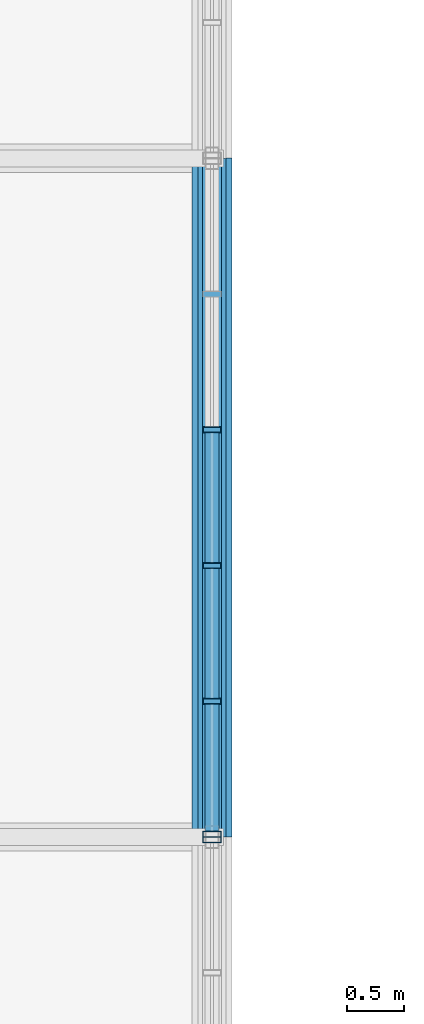
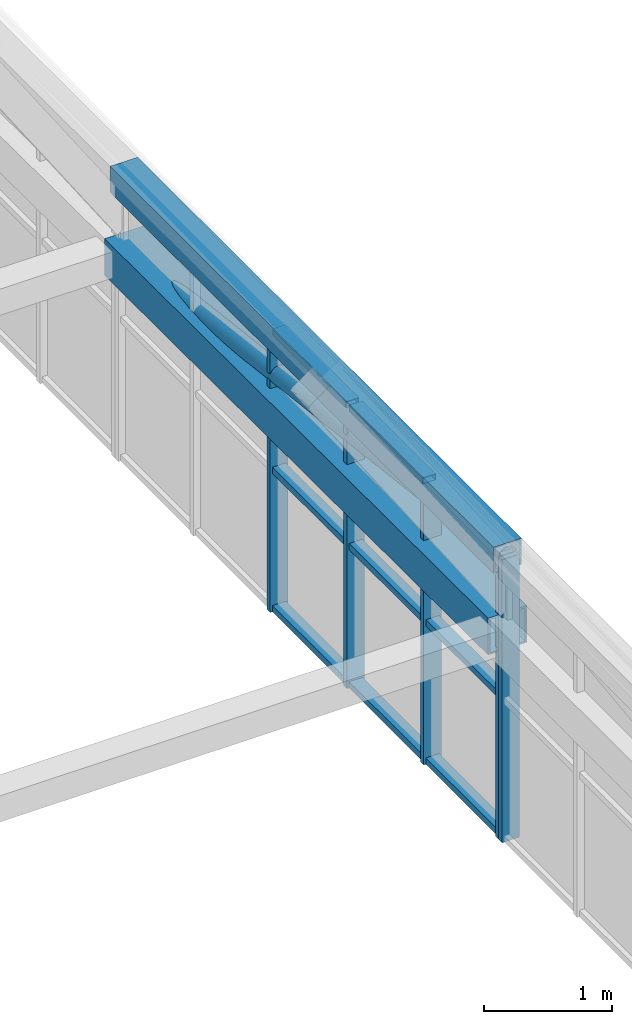
# One storey, part 230 of 324: 17 members, 2 elements without a shape of their own.
"""IFC4 building model written with IfcOpenShell, lengths in metres."""

import ifcopenshell
import ifcopenshell.guid

model = None  # the IFC model being written
_history = None  # IfcOwnerHistory: only IFC2X3 demands one
_inside = {}  # id of a spatial element -> (the spatial element, [elements in it])
_under = {}  # id of a project, library or spatial element -> (it, [spatial elements below it])
_declared = {}  # id of a project -> (the project, [libraries it declares])
_typed = {}  # id of a type object -> (the type object, [elements of that type])
_made_of = {}  # id of a material, layer set ... -> (it, [elements and type objects made of it])


def new_model(schema):
    """Start an empty IFC model of exactly this schema.

    Asked for "IFC4X3", IfcOpenShell would pick the latest addendum, in which some entities
    have other attributes; the version numbers below select the first issue.
    IFC2X3 requires an IfcOwnerHistory on every rooted entity: one is made here for all.
    """
    global model, _history
    if schema == "IFC4X3":
        model = ifcopenshell.file(schema_version=(4, 3, 0, 0))
    else:
        model = ifcopenshell.file(schema=schema)
    _inside.clear()
    _under.clear()
    _declared.clear()
    _typed.clear()
    _made_of.clear()
    _history = None
    if model.schema == "IFC2X3":
        org = make("IfcOrganization", Name="unknown")
        user = make(
            "IfcPersonAndOrganization",
            ThePerson=make("IfcPerson", FamilyName="unknown"),
            TheOrganization=org,
        )
        app = make(
            "IfcApplication",
            ApplicationDeveloper=org,
            Version="unknown",
            ApplicationFullName="unknown",
            ApplicationIdentifier="unknown",
        )
        _history = make(
            "IfcOwnerHistory",
            OwningUser=user,
            OwningApplication=app,
            ChangeAction="ADDED",
            CreationDate=0,
        )
    return model


def make(cls, **values):
    """One entity of the class cls with the attributes given. An attribute that is None is left unset."""
    return model.create_entity(
        cls, **{name: value for name, value in values.items() if value is not None}
    )


def rooted(cls, **values):
    """An entity with a GlobalId (a new one), such as an element, a storey or a relation."""
    return make(cls, GlobalId=ifcopenshell.guid.new(), OwnerHistory=_history, **values)


def si_unit(unit_type, name, prefix=None):
    """IfcSIUnit, for example si_unit("LENGTHUNIT", "METRE", prefix="MILLI")."""
    return make("IfcSIUnit", UnitType=unit_type, Prefix=prefix, Name=name)


def assignment(units):
    """IfcUnitAssignment: the units of a project."""
    return None if units is None else make("IfcUnitAssignment", Units=units)


def point(xyz):
    """IfcCartesianPoint."""
    return None if xyz is None else make("IfcCartesianPoint", Coordinates=xyz)


def direction(xyz):
    """IfcDirection."""
    return None if xyz is None else make("IfcDirection", DirectionRatios=xyz)


def frame(location, z_axis=None, x_axis=None):
    """IfcAxis2Placement3D, a coordinate frame: its origin and axes. An axis left out is left unset."""
    return make(
        "IfcAxis2Placement3D",
        Location=point(location),
        Axis=direction(z_axis),
        RefDirection=direction(x_axis),
    )


def frame_2d(location, x_axis=None):
    """IfcAxis2Placement2D, a coordinate frame in the plane: its origin and x axis."""
    return make(
        "IfcAxis2Placement2D", Location=point(location), RefDirection=direction(x_axis)
    )


def origin():
    """The frame at (0, 0, 0) with its axes left unset."""
    return frame((0.0, 0.0, 0.0))


def origin_2d():
    """The frame at (0, 0) in the plane with its x axis left unset."""
    return frame_2d((0.0, 0.0))


def place(relative_to, where):
    """IfcLocalPlacement: puts the frame where relative to a parent placement (None: the world)."""
    return make(
        "IfcLocalPlacement", PlacementRelTo=relative_to, RelativePlacement=where
    )


def context(
    kind, dimensions, precision=None, world=None, true_north=None, identifier=None
):
    """IfcGeometricRepresentationContext, for example the 3D "Model" context."""
    return make(
        "IfcGeometricRepresentationContext",
        ContextIdentifier=identifier,
        ContextType=kind,
        CoordinateSpaceDimension=dimensions,
        Precision=precision,
        WorldCoordinateSystem=world,
        TrueNorth=true_north,
    )


def subcontext(parent, identifier, kind, view, scale=None):
    """IfcGeometricRepresentationSubContext, for example "Body" below "Model"."""
    return make(
        "IfcGeometricRepresentationSubContext",
        ContextIdentifier=identifier,
        ContextType=kind,
        ParentContext=parent,
        TargetScale=scale,
        TargetView=view,
    )


def project(units=None, contexts=None):
    """IfcProject with its units and contexts."""
    return rooted(
        "IfcProject",
        Name="project",
        RepresentationContexts=contexts,
        UnitsInContext=assignment(units),
    )


def spatial(cls, under=None, at=None, **own):
    """A site, building, storey or space (cls), placed at a placement, below another one or the project."""
    s = rooted(cls, ObjectPlacement=at, **own)
    if under is not None:
        _under.setdefault(under.id(), (under, []))[1].append(s)
    return s


def profile(cls, at=None, kind="AREA", **sizes):
    """A parametric profile (cls). Its sizes go by their IFC names, for example OverallWidth=200.0."""
    return make(cls, ProfileType=kind, Position=at, **sizes)


def hollow_rectangle(**sizes):
    """IfcRectangleHollowProfileDef."""
    return profile("IfcRectangleHollowProfileDef", **sizes)


def hollow_circle(**sizes):
    """IfcCircleHollowProfileDef."""
    return profile("IfcCircleHollowProfileDef", **sizes)


def extrude(swept, where, along, depth):
    """IfcExtrudedAreaSolid: the profile swept, set in the frame where, extruded along a direction by depth."""
    return make(
        "IfcExtrudedAreaSolid",
        SweptArea=swept,
        Position=where,
        ExtrudedDirection=direction(along),
        Depth=depth,
    )


def shape(context_of_items, identifier, shape_type, items):
    """IfcShapeRepresentation: the items that make up one representation, for example the "Body"."""
    return make(
        "IfcShapeRepresentation",
        ContextOfItems=context_of_items,
        RepresentationIdentifier=identifier,
        RepresentationType=shape_type,
        Items=items,
    )


def material(Name=None, Category=None):
    """IfcMaterial."""
    return make("IfcMaterial", Name=Name, Category=Category)


def layer(
    of_material, thickness, ventilated=None, Name=None, Category=None, Priority=None
):
    """IfcMaterialLayer: one layer of a wall or slab, of a material (None: an air gap)."""
    return make(
        "IfcMaterialLayer",
        Material=of_material,
        LayerThickness=thickness,
        IsVentilated=ventilated,
        Name=Name,
        Category=Category,
        Priority=Priority,
    )


def layer_set(layers, Name=None):
    """IfcMaterialLayerSet."""
    return make("IfcMaterialLayerSet", MaterialLayers=layers, LayerSetName=Name)


def material_profile(
    of_material, cross_section, Name=None, Category=None, Priority=None
):
    """IfcMaterialProfile: a cross section and its material."""
    return make(
        "IfcMaterialProfile",
        Name=Name,
        Material=of_material,
        Profile=cross_section,
        Priority=Priority,
        Category=Category,
    )


def profile_set(profiles, Name=None, composite=None):
    """IfcMaterialProfileSet."""
    return make(
        "IfcMaterialProfileSet",
        Name=Name,
        MaterialProfiles=profiles,
        CompositeProfile=composite,
    )


def made_of(thing, what):
    """Note that an element or type object is made of a material, layer set ...; save() writes the relation."""
    if what is not None:
        _made_of.setdefault(what.id(), (what, []))[1].append(thing)
    return thing


def type_object(cls, material=None, **own):
    """A type object (cls), such as IfcWallType, which elements share."""
    return made_of(rooted(cls, **own), material)


def element(
    cls,
    number,
    at=None,
    inside=None,
    cuts=None,
    type_object=None,
    material=None,
    context=None,
    identifier="Body",
    shape_type=None,
    held_by="IfcProductDefinitionShape",
    body=None,
    shapes=None,
    **own,
):
    """One element of the class cls, such as IfcWall. Its Tag is "e" and its number.

    at: its placement. inside: the storey or other place that contains it. cuts: it is an
    opening in that element (IfcRelVoidsElement). A single representation is given by context,
    identifier, shape_type and body (its items); several are given by shapes. held_by: the class
    of the entity that holds the representations. save() writes the other relations.
    """
    e = rooted(cls, Tag="e%d" % number, ObjectPlacement=at, **own)
    if body is not None:
        shapes = [shape(context, identifier, shape_type, body)]
    if shapes is not None:
        e.Representation = make(held_by, Representations=shapes)
    if inside is not None:
        _inside.setdefault(inside.id(), (inside, []))[1].append(e)
    if cuts is not None:
        rooted(
            "IfcRelVoidsElement", RelatingBuildingElement=cuts, RelatedOpeningElement=e
        )
    if type_object is not None:
        _typed.setdefault(type_object.id(), (type_object, []))[1].append(e)
    return made_of(e, material)


def aggregate(whole, parts):
    """IfcRelAggregates: a whole, such as a stair, and the parts it consists of."""
    return rooted("IfcRelAggregates", RelatingObject=whole, RelatedObjects=parts)


def save(model, path):
    """Write the relations noted so far, then the file.

    IfcRelAggregates (storeys below a building ...), IfcRelContainedInSpatialStructure (elements
    in a storey), IfcRelDefinesByType, IfcRelAssociatesMaterial and IfcRelDeclares: one each for
    every whole, place, type object, material and project.
    """
    for whole, parts in _under.values():
        aggregate(whole, parts)
    for where, things in _inside.values():
        rooted(
            "IfcRelContainedInSpatialStructure",
            RelatedElements=things,
            RelatingStructure=where,
        )
    for kind, things in _typed.values():
        rooted("IfcRelDefinesByType", RelatedObjects=things, RelatingType=kind)
    for what, things in _made_of.values():
        rooted("IfcRelAssociatesMaterial", RelatedObjects=things, RelatingMaterial=what)
    for by, libraries in _declared.values():
        rooted("IfcRelDeclares", RelatingContext=by, RelatedDefinitions=libraries)
    model.write(path)


model = new_model("IFC4")

# Units and contexts
model_context = context("Model", 3, precision=1e-05, world=origin(), true_north=direction((0.0, 1.0)))
body_context = subcontext(model_context, "Body", "Model", "MODEL_VIEW")
ifc_project = project(units=[si_unit("LENGTHUNIT", "METRE"), si_unit("AREAUNIT", "SQUARE_METRE"), si_unit("VOLUMEUNIT", "CUBIC_METRE"), si_unit("PLANEANGLEUNIT", "RADIAN"), si_unit("MASSUNIT", "GRAM", prefix="KILO")], contexts=[model_context])

# Site, building, storey
site_placement = place(None, origin())
site = spatial("IfcSite", under=ifc_project, at=site_placement, CompositionType="ELEMENT")
building_placement = place(site_placement, origin())
building = spatial("IfcBuilding", under=site, at=building_placement, Name="Solvenia Promenade Tram Depot", CompositionType="ELEMENT")
storey_placement = place(building_placement, frame((0.0, 0.0, 4.5)))
storey = spatial("IfcBuildingStorey", under=building, at=storey_placement, Name="L01", CompositionType="ELEMENT", Elevation=4.5)

# Curtain wall, member
ifc_material_1 = material(Name="Anodized aluminium AW-6063 T6", Category="aluminium")
ifc_layer = layer(ifc_material_1, 0.159912109375, Name="Anodized aluminium AW-6063 T6", Category="aluminium")
ifc_layer_set = layer_set([ifc_layer], Name="Anodized aluminium AW-6063 T6")
curtain_wall_type = type_object("IfcCurtainWallType", Name="CW-Channel-1200", PredefinedType="NOTDEFINED", material=ifc_layer_set)
curtain_wall_1_placement = place(storey_placement, origin())
curtain_wall_1 = element("IfcCurtainWall", 1, at=curtain_wall_1_placement, inside=storey, type_object=curtain_wall_type, Name="Curtain Wall CW-V1E-05", PredefinedType="NOTDEFINED")
ifc_material_profile_1 = material_profile(ifc_material_1, hollow_rectangle(XDim=0.159912109375, YDim=0.052001953125, WallThickness=0.00390625, at=origin_2d()), Name="ALU-M1", Category="aluminium")
ifc_profile_set_1 = profile_set([ifc_material_profile_1], Name="Anodized aluminium AW-6063 T6")
member_type_1 = type_object("IfcMemberType", Name="CWM-Mullion-1", PredefinedType="MULLION", material=ifc_profile_set_1)
member_1_placement = place(storey_placement, frame((150.0, 95.97412109375, 0.699951171875), z_axis=(0.0, 0.0, 1.0), x_axis=(-1.0, 0.0, 0.0)))
member_1 = element("IfcMember", 2, at=member_1_placement, type_object=member_type_1, Name="CW-1 mullion 6", PredefinedType="MULLION", context=body_context, shape_type="SweptSolid", body=[
    extrude(hollow_rectangle(XDim=0.159912109375, YDim=0.052001953125, WallThickness=0.00390625, at=origin_2d()), origin(), (0.0, 0.0, 1.0), 2.699951171875),
])
aggregate(curtain_wall_1, [member_1])

# Curtain wall, members
curtain_wall_2_placement = place(storey_placement, origin())
curtain_wall_2 = element("IfcCurtainWall", 3, at=curtain_wall_2_placement, inside=storey, type_object=curtain_wall_type, Name="Curtain Wall CW-V1E-06", PredefinedType="NOTDEFINED")
member_2_placement = place(storey_placement, frame((150.0, 96.02587890625, 0.699951171875), z_axis=(0.0, 0.0, 1.0), x_axis=(-1.0, 0.0, 0.0)))
member_2 = element("IfcMember", 4, at=member_2_placement, type_object=member_type_1, Name="CW-1 mullion 1", PredefinedType="MULLION", context=body_context, shape_type="SweptSolid", body=[
    extrude(hollow_rectangle(XDim=0.159912109375, YDim=0.052001953125, WallThickness=0.00390625, at=origin_2d()), origin(), (0.0, 0.0, 1.0), 2.699951171875),
])
member_3_placement = place(storey_placement, frame((150.0, 97.199951171875, 0.699951171875), z_axis=(0.0, 0.0, 1.0), x_axis=(-1.0, 0.0, 0.0)))
member_3 = element("IfcMember", 5, at=member_3_placement, type_object=member_type_1, Name="CW-1 mullion 2", PredefinedType="MULLION", context=body_context, shape_type="SweptSolid", body=[
    extrude(hollow_rectangle(XDim=0.159912109375, YDim=0.052001953125, WallThickness=0.00390625, at=origin_2d()), origin(), (0.0, 0.0, 1.0), 2.699951171875),
])
member_4_placement = place(storey_placement, frame((150.0, 98.39990234375, 0.699951171875), z_axis=(0.0, 0.0, 1.0), x_axis=(-1.0, 0.0, 0.0)))
member_4 = element("IfcMember", 6, at=member_4_placement, type_object=member_type_1, Name="CW-1 mullion 3", PredefinedType="MULLION", context=body_context, shape_type="SweptSolid", body=[
    extrude(hollow_rectangle(XDim=0.159912109375, YDim=0.052001953125, WallThickness=0.00390625, at=origin_2d()), origin(), (0.0, 0.0, 1.0), 2.699951171875),
])
member_5_placement = place(storey_placement, frame((150.0, 99.60009765625, 0.699951171875), z_axis=(0.0, 0.0, 1.0), x_axis=(-1.0, 0.0, 0.0)))
member_5 = element("IfcMember", 7, at=member_5_placement, type_object=member_type_1, Name="CW-1 mullion 4", PredefinedType="MULLION", context=body_context, shape_type="SweptSolid", body=[
    extrude(hollow_rectangle(XDim=0.159912109375, YDim=0.052001953125, WallThickness=0.00390625, at=origin_2d()), origin(), (0.0, 0.0, 1.0), 2.699951171875),
])
ifc_material_profile_2 = material_profile(ifc_material_1, hollow_rectangle(XDim=0.1201171875, YDim=0.06005859375, WallThickness=0.00390625, at=origin_2d()), Name="ALU-T1", Category="aluminium")
ifc_profile_set_2 = profile_set([ifc_material_profile_2], Name="Anodized aluminium AW-6063 T6")
member_type_2 = type_object("IfcMemberType", Name="CWT-Transom-1", PredefinedType="USERDEFINED", material=ifc_profile_set_2)
member_6_placement = place(storey_placement, frame((150.0, 96.052001953125, 0.72998046875), z_axis=(0.0, 1.0, 0.0), x_axis=(-1.0, 0.0, 0.0)))
member_6 = element("IfcMember", 8, at=member_6_placement, type_object=member_type_2, Name="CW-1 transom 1.1", ObjectType="TRANSOM", PredefinedType="USERDEFINED", context=body_context, shape_type="SweptSolid", body=[
    extrude(hollow_rectangle(XDim=0.1201171875, YDim=0.06005859375, WallThickness=0.00390625, at=origin_2d()), origin(), (0.0, 0.0, 1.0), 1.1220703125),
])
member_7_placement = place(storey_placement, frame((150.0, 96.052001953125, 2.050048828125), z_axis=(0.0, 1.0, 0.0), x_axis=(-1.0, 0.0, 0.0)))
member_7 = element("IfcMember", 9, at=member_7_placement, type_object=member_type_2, Name="CW-1 transom 1.2", ObjectType="TRANSOM", PredefinedType="USERDEFINED", context=body_context, shape_type="SweptSolid", body=[
    extrude(hollow_rectangle(XDim=0.1201171875, YDim=0.06005859375, WallThickness=0.00390625, at=origin_2d()), origin(), (0.0, 0.0, 1.0), 1.1220703125),
])
member_8_placement = place(storey_placement, frame((150.0, 96.052001953125, 3.3701171875), z_axis=(0.0, 1.0, 0.0), x_axis=(-1.0, 0.0, 0.0)))
member_8 = element("IfcMember", 10, at=member_8_placement, type_object=member_type_2, Name="CW-1 transom 1.3", ObjectType="TRANSOM", PredefinedType="USERDEFINED", context=body_context, shape_type="SweptSolid", body=[
    extrude(hollow_rectangle(XDim=0.1201171875, YDim=0.06005859375, WallThickness=0.00390625, at=origin_2d()), origin(), (0.0, 0.0, 1.0), 1.1220703125),
])
member_9_placement = place(storey_placement, frame((150.0, 97.22607421875, 0.72998046875), z_axis=(0.0, 1.0, 0.0), x_axis=(-1.0, 0.0, 0.0)))
member_9 = element("IfcMember", 11, at=member_9_placement, type_object=member_type_2, Name="CW-1 transom 2.1", ObjectType="TRANSOM", PredefinedType="USERDEFINED", context=body_context, shape_type="SweptSolid", body=[
    extrude(hollow_rectangle(XDim=0.1201171875, YDim=0.06005859375, WallThickness=0.00390625, at=origin_2d()), origin(), (0.0, 0.0, 1.0), 1.14794921875),
])
member_10_placement = place(storey_placement, frame((150.0, 97.22607421875, 2.050048828125), z_axis=(0.0, 1.0, 0.0), x_axis=(-1.0, 0.0, 0.0)))
member_10 = element("IfcMember", 12, at=member_10_placement, type_object=member_type_2, Name="CW-1 transom 2.2", ObjectType="TRANSOM", PredefinedType="USERDEFINED", context=body_context, shape_type="SweptSolid", body=[
    extrude(hollow_rectangle(XDim=0.1201171875, YDim=0.06005859375, WallThickness=0.00390625, at=origin_2d()), origin(), (0.0, 0.0, 1.0), 1.14794921875),
])
member_11_placement = place(storey_placement, frame((150.0, 97.22607421875, 3.3701171875), z_axis=(0.0, 1.0, 0.0), x_axis=(-1.0, 0.0, 0.0)))
member_11 = element("IfcMember", 13, at=member_11_placement, type_object=member_type_2, Name="CW-1 transom 2.3", ObjectType="TRANSOM", PredefinedType="USERDEFINED", context=body_context, shape_type="SweptSolid", body=[
    extrude(hollow_rectangle(XDim=0.1201171875, YDim=0.06005859375, WallThickness=0.00390625, at=origin_2d()), origin(), (0.0, 0.0, 1.0), 1.14794921875),
])
member_12_placement = place(storey_placement, frame((150.0, 98.426025390625, 0.72998046875), z_axis=(0.0, 1.0, 0.0), x_axis=(-1.0, 0.0, 0.0)))
member_12 = element("IfcMember", 14, at=member_12_placement, type_object=member_type_2, Name="CW-1 transom 3.1", ObjectType="TRANSOM", PredefinedType="USERDEFINED", context=body_context, shape_type="SweptSolid", body=[
    extrude(hollow_rectangle(XDim=0.1201171875, YDim=0.06005859375, WallThickness=0.00390625, at=origin_2d()), origin(), (0.0, 0.0, 1.0), 1.14794921875),
])
member_13_placement = place(storey_placement, frame((150.0, 98.426025390625, 2.050048828125), z_axis=(0.0, 1.0, 0.0), x_axis=(-1.0, 0.0, 0.0)))
member_13 = element("IfcMember", 15, at=member_13_placement, type_object=member_type_2, Name="CW-1 transom 3.2", ObjectType="TRANSOM", PredefinedType="USERDEFINED", context=body_context, shape_type="SweptSolid", body=[
    extrude(hollow_rectangle(XDim=0.1201171875, YDim=0.06005859375, WallThickness=0.00390625, at=origin_2d()), origin(), (0.0, 0.0, 1.0), 1.14794921875),
])
member_14_placement = place(storey_placement, frame((150.0, 98.426025390625, 3.3701171875), z_axis=(0.0, 1.0, 0.0), x_axis=(-1.0, 0.0, 0.0)))
member_14 = element("IfcMember", 16, at=member_14_placement, type_object=member_type_2, Name="CW-1 transom 3.3", ObjectType="TRANSOM", PredefinedType="USERDEFINED", context=body_context, shape_type="SweptSolid", body=[
    extrude(hollow_rectangle(XDim=0.1201171875, YDim=0.06005859375, WallThickness=0.00390625, at=origin_2d()), origin(), (0.0, 0.0, 1.0), 1.14794921875),
])
aggregate(curtain_wall_2, [member_2, member_3, member_4, member_5, member_6, member_7, member_8, member_9, member_10, member_11, member_12, member_13, member_14])

# Members
ifc_material_2 = material(Name="Structural steel ASTM A500 Gr. C", Category="steel")
ifc_material_profile_3 = material_profile(ifc_material_2, hollow_rectangle(XDim=0.25, YDim=0.25, WallThickness=0.010009765625, at=origin_2d()), Name="HSS250x250x10", Category="steel")
ifc_profile_set_3 = profile_set([ifc_material_profile_3], Name="Structural steel ASTM A500 Gr. C")
member_type_3 = type_object("IfcMemberType", Name="Chord-HSS250x250x10", PredefinedType="CHORD", material=ifc_profile_set_3)
member_15_placement = place(storey_placement, frame((150.0, 96.0, 3.3798828125), z_axis=(0.0, 1.0, 0.0), x_axis=(-1.0, 0.0, 0.0)))
element("IfcMember", 17, at=member_15_placement, inside=storey, type_object=member_type_3, Name="Arched Truss T21 Upper Chord S06", PredefinedType="CHORD", context=body_context, shape_type="SweptSolid", body=[
    extrude(hollow_rectangle(XDim=0.25, YDim=0.25, WallThickness=0.010009765625, at=origin_2d()), origin(), (0.0, 0.0, 1.0), 6.0),
])
ifc_material_profile_4 = material_profile(ifc_material_2, hollow_rectangle(XDim=0.35009765625, YDim=0.35009765625, WallThickness=0.01611328125, at=origin_2d()), Name="HSS350x350x16", Category="steel")
ifc_profile_set_4 = profile_set([ifc_material_profile_4], Name="Structural steel ASTM A500 Gr. C")
member_type_4 = type_object("IfcMemberType", Name="Chord-HSS350x350x16", PredefinedType="CHORD", material=ifc_profile_set_4)
member_16_placement = place(storey_placement, frame((150.0, 96.0, 2.669921875), z_axis=(0.0, 0.999997310351, -0.002319329699), x_axis=(-1.0, 0.0, 0.0)))
element("IfcMember", 18, at=member_16_placement, inside=storey, type_object=member_type_4, Name="Arched Truss T21 Bottom Chord S06", PredefinedType="CHORD", context=body_context, shape_type="SweptSolid", body=[
    extrude(hollow_rectangle(XDim=0.35009765625, YDim=0.35009765625, WallThickness=0.01611328125, at=origin_2d()), origin(), (0.0, 0.0, 1.0), 6.0),
])
ifc_material_profile_5 = material_profile(ifc_material_2, hollow_circle(Radius=0.084228515625, WallThickness=0.008056640625, at=origin_2d()), Name="CHS168.3x8", Category="steel")
ifc_profile_set_5 = profile_set([ifc_material_profile_5], Name="Structural steel ASTM A500 Gr. C")
member_type_5 = type_object("IfcMemberType", Name="WebDiag-CHS168x8", PredefinedType="BRACE", material=ifc_profile_set_5)
member_17_placement = place(storey_placement, frame((150.0, 102.0, 2.656005859375), z_axis=(0.0, -0.992800749036, 0.119777596879), x_axis=(1.0, 0.0, 0.0)))
element("IfcMember", 19, at=member_17_placement, inside=storey, type_object=member_type_5, Name="Arched Truss T21 Web Diagonal S06", PredefinedType="BRACE", context=body_context, shape_type="SweptSolid", body=[
    extrude(hollow_circle(Radius=0.084228515625, WallThickness=0.008056640625, at=origin_2d()), origin(), (0.0, 0.0, 1.0), 6.04345703125),
])

save(model, "model.ifc")
